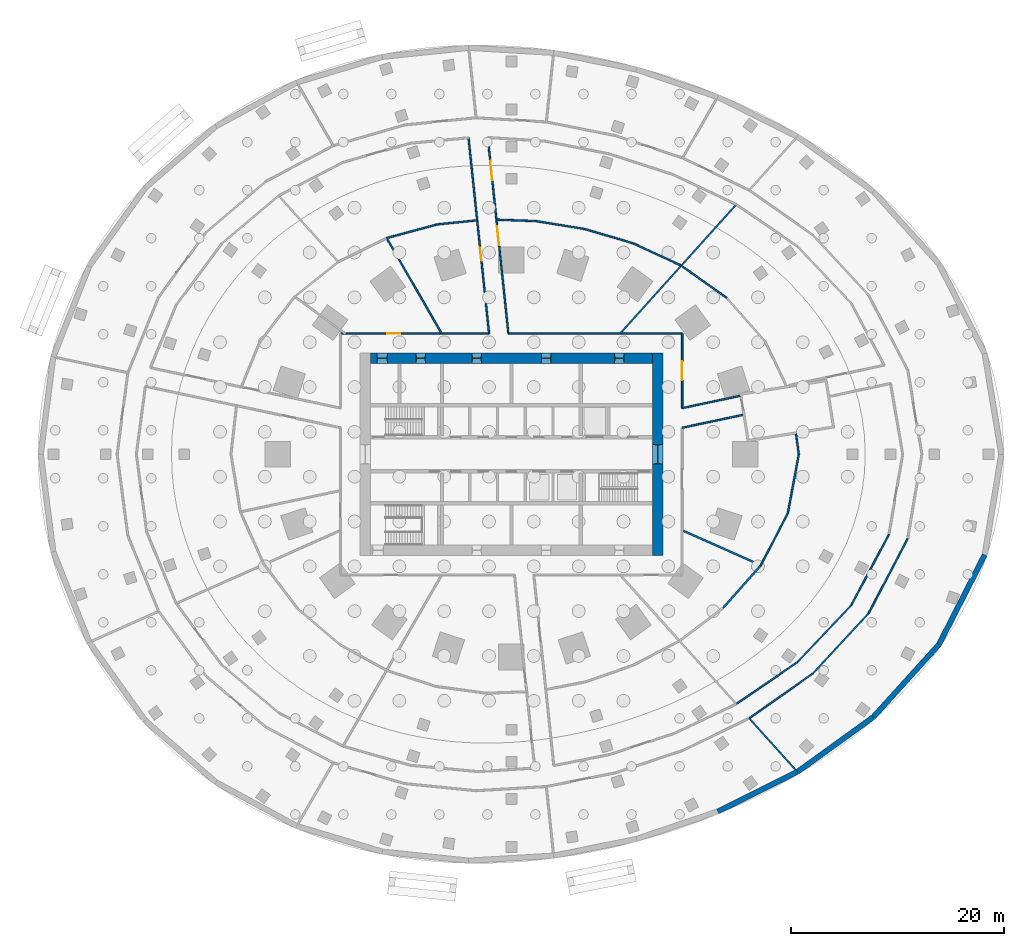
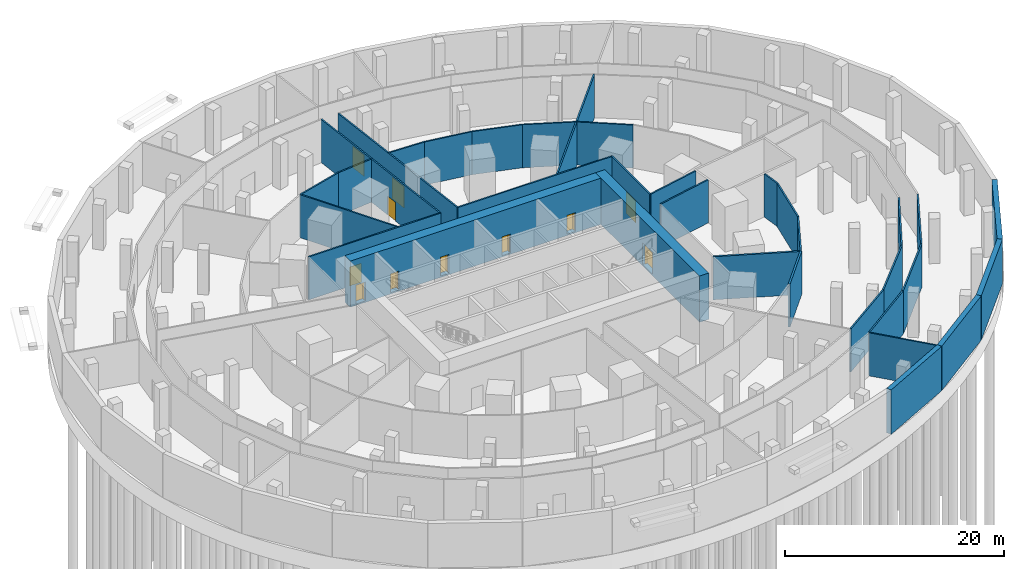
# One storey, part 7 of 11: 34 walls, 11 doors, 11 openings.
"""IFC4 building model written with IfcOpenShell, lengths in metres."""

from ifc_helpers import new_model, si_unit, direction, frame, frame_2d, origin, place, context, subcontext, project, spatial, rectangle, extrude, material, layer, layer_set, type_object, element, fill, save


model = new_model("IFC4")

# Units and contexts
model_context = context("Model", 3, precision=1e-05, world=origin(), true_north=direction((0.0, 1.0)))
body_context = subcontext(model_context, "Body", "Model", "MODEL_VIEW")
ifc_project = project(units=[si_unit("LENGTHUNIT", "METRE"), si_unit("AREAUNIT", "SQUARE_METRE"), si_unit("VOLUMEUNIT", "CUBIC_METRE"), si_unit("PLANEANGLEUNIT", "RADIAN"), si_unit("MASSUNIT", "GRAM", prefix="KILO")], contexts=[model_context])

# Site, building, storey
site_placement = place(None, origin())
site = spatial("IfcSite", under=ifc_project, at=site_placement, CompositionType="ELEMENT")
building_placement = place(site_placement, origin())
building = spatial("IfcBuilding", under=site, at=building_placement, Name="Marramba Exchange Tower", CompositionType="ELEMENT")
storey_placement = place(building_placement, frame((0.0, 0.0, -5.0)))
storey = spatial("IfcBuildingStorey", under=building, at=storey_placement, Name="B1", CompositionType="ELEMENT", Elevation=-5.0)

# Walls
ifc_material_1 = material(Name="Concrete N50", Category="concrete")
ifc_layer_1 = layer(ifc_material_1, 0.5)
ifc_layer_set_1 = layer_set([ifc_layer_1], Name="Basement retaining wall 500")
wall_type_1 = type_object("IfcWallType", Name="Basement retaining wall 500", PredefinedType="SOLIDWALL", material=ifc_layer_set_1)
wall_1_placement = place(storey_placement, frame((19.325927734375, -33.4736328125, -0.14990234375), z_axis=(0.0, 0.0, 1.0), x_axis=(0.895437485693, 0.44518727432, 0.0)))
element("IfcWall", 1, at=wall_1_placement, inside=storey, type_object=wall_type_1, Name="Retaining wall RW1-26", PredefinedType="SOLIDWALL", context=body_context, shape_type="SweptSolid", body=[
    extrude(rectangle(XDim=8.34228515625, YDim=0.5, at=frame_2d((4.171142578125, 0.0))), origin(), (0.0, 0.0, 1.0), 4.949951171875),
])
wall_2_placement = place(storey_placement, frame((26.7958984375, -29.759765625, -0.14990234375), z_axis=(0.0, 0.0, 1.0), x_axis=(0.810809240523, 0.585310494937, 0.0)))
element("IfcWall", 2, at=wall_2_placement, inside=storey, type_object=wall_type_1, Name="Retaining wall RW1-27", PredefinedType="SOLIDWALL", context=body_context, shape_type="SweptSolid", body=[
    extrude(rectangle(XDim=8.76318359375, YDim=0.5, at=frame_2d((4.381591796875, 0.0))), origin(), (0.0, 0.0, 1.0), 4.949951171875),
])
wall_3_placement = place(storey_placement, frame((33.901123046875, -24.630615234375, -0.14990234375), z_axis=(0.0, 0.0, 1.0), x_axis=(0.670913323969, 0.741535779124, 0.0)))
element("IfcWall", 3, at=wall_3_placement, inside=storey, type_object=wall_type_1, Name="Retaining wall RW1-28", PredefinedType="SOLIDWALL", context=body_context, shape_type="SweptSolid", body=[
    extrude(rectangle(XDim=9.16796875, YDim=0.5, at=frame_2d((4.583984375, 0.0))), origin(), (0.0, 0.0, 1.0), 4.949951171875),
])
wall_4_placement = place(storey_placement, frame((40.052001953125, -17.832275390625, -0.14990234375), z_axis=(0.0, 0.0, 1.0), x_axis=(0.454801599968, 0.890592782739, 0.0)))
element("IfcWall", 4, at=wall_4_placement, inside=storey, type_object=wall_type_1, Name="Retaining wall RW1-29", PredefinedType="SOLIDWALL", context=body_context, shape_type="SweptSolid", body=[
    extrude(rectangle(XDim=9.439208984375, YDim=0.5, at=frame_2d((4.7197265625, 0.0))), origin(), (0.0, 0.0, 1.0), 4.949951171875),
])

# Wall, openings, doors
ifc_layer_2 = layer(ifc_material_1, 1.0)
ifc_layer_set_2 = layer_set([ifc_layer_2], Name="Core wall 1000")
wall_type_2 = type_object("IfcWallType", Name="Core wall 1000", PredefinedType="SHEAR", material=ifc_layer_set_2)
wall_5_placement = place(storey_placement, frame((13.199951171875, 9.0, -0.14990234375), z_axis=(0.0, 0.0, 1.0), x_axis=(-1.0, 0.0, 0.0)))
wall_5 = element("IfcWall", 5, at=wall_5_placement, inside=storey, type_object=wall_type_2, Name="Core wall N B1", PredefinedType="SHEAR", context=body_context, shape_type="SweptSolid", body=[
    extrude(rectangle(XDim=26.39990234375, YDim=1.0, at=frame_2d((13.199951171875, 0.0))), origin(), (0.0, 0.0, 1.0), 5.14990234375),
])
opening_1_placement = place(wall_5_placement, frame((2.64990234375, 0.0, 0.14990234375)))
opening_1 = element("IfcOpeningElement", 6, at=opening_1_placement, cuts=wall_5, Name="Opening D5", PredefinedType="OPENING", context=body_context, shape_type="SweptSolid", body=[
    extrude(rectangle(XDim=0.89990234375, YDim=2.10009765625, at=frame_2d((0.449951171875, 1.050048828125))), frame((0.0, 0.510009765625, 0.0), z_axis=(0.0, -1.0, 0.0), x_axis=(1.0, 0.0, 0.0)), (0.0, 0.0, 1.0), 1.02001953125),
])
opening_2_placement = place(wall_5_placement, frame((9.5, 0.0, 0.14990234375)))
opening_2 = element("IfcOpeningElement", 7, at=opening_2_placement, cuts=wall_5, Name="Opening D5", PredefinedType="OPENING", context=body_context, shape_type="SweptSolid", body=[
    extrude(rectangle(XDim=0.89990234375, YDim=2.10009765625, at=frame_2d((0.449951171875, 1.050048828125))), frame((0.0, 0.510009765625, 0.0), z_axis=(0.0, -1.0, 0.0), x_axis=(1.0, 0.0, 0.0)), (0.0, 0.0, 1.0), 1.02001953125),
])
opening_3_placement = place(wall_5_placement, frame((16.0, 0.0, 0.14990234375)))
opening_3 = element("IfcOpeningElement", 8, at=opening_3_placement, cuts=wall_5, Name="Opening D5", PredefinedType="OPENING", context=body_context, shape_type="SweptSolid", body=[
    extrude(rectangle(XDim=0.89990234375, YDim=2.10009765625, at=frame_2d((0.449951171875, 1.050048828125))), frame((0.0, 0.510009765625, 0.0), z_axis=(0.0, -1.0, 0.0), x_axis=(1.0, 0.0, 0.0)), (0.0, 0.0, 1.0), 1.02001953125),
])
opening_4_placement = place(wall_5_placement, frame((21.25, 0.0, 0.14990234375)))
opening_4 = element("IfcOpeningElement", 9, at=opening_4_placement, cuts=wall_5, Name="Opening D5", PredefinedType="OPENING", context=body_context, shape_type="SweptSolid", body=[
    extrude(rectangle(XDim=0.89990234375, YDim=2.10009765625, at=frame_2d((0.449951171875, 1.050048828125))), frame((0.0, 0.510009765625, 0.0), z_axis=(0.0, -1.0, 0.0), x_axis=(1.0, 0.0, 0.0)), (0.0, 0.0, 1.0), 1.02001953125),
])
opening_5_placement = place(wall_5_placement, frame((24.800048828125, 0.0, 0.14990234375)))
opening_5 = element("IfcOpeningElement", 10, at=opening_5_placement, cuts=wall_5, Name="Opening D4", PredefinedType="OPENING", context=body_context, shape_type="SweptSolid", body=[
    extrude(rectangle(XDim=1.0, YDim=2.10009765625, at=frame_2d((0.5, 1.050048828125))), frame((0.0, 0.510009765625, 0.0), z_axis=(0.0, -1.0, 0.0), x_axis=(1.0, 0.0, 0.0)), (0.0, 0.0, 1.0), 1.02001953125),
])
ifc_material_2 = material(Name="Steel-framed door", Category="steel")
door_type_1 = type_object("IfcDoorType", Name="Accessible toilet door 1000x2100", OperationType="SINGLE_SWING_LEFT", PredefinedType="DOOR", material=ifc_material_2)
door_1_placement = place(opening_5_placement, origin())
door_1 = element("IfcDoor", 11, at=door_1_placement, inside=storey, type_object=door_type_1, Name="D4 awc B1", OperationType="SINGLE_SWING_RIGHT", OverallHeight=2.10009765625, OverallWidth=1.0, PredefinedType="DOOR", context=body_context, shape_type="SweptSolid", body=[
    extrude(rectangle(XDim=0.919921875, YDim=2.06005859375, at=frame_2d((0.5, 1.030029296875))), frame((0.0, 0.02490234375, 0.0), z_axis=(0.0, -1.0, 0.0), x_axis=(1.0, 0.0, 0.0)), (0.0, 0.0, 1.0), 0.050048828125),
    extrude(rectangle(XDim=0.04, YDim=2.10009765625, at=frame_2d((0.02001953125, 1.050048828125))), frame((0.0, 0.25, 0.0), z_axis=(0.0, -1.0, 0.0), x_axis=(1.0, 0.0, 0.0)), (0.0, 0.0, 1.0), 0.5),
    extrude(rectangle(XDim=0.04, YDim=2.10009765625, at=frame_2d((0.97998046875, 1.050048828125))), frame((0.0, 0.25, 0.0), z_axis=(0.0, -1.0, 0.0), x_axis=(1.0, 0.0, 0.0)), (0.0, 0.0, 1.0), 0.5),
    extrude(rectangle(XDim=0.919921875, YDim=0.04, at=frame_2d((0.5, 2.080078125))), frame((0.0, 0.25, 0.0), z_axis=(0.0, -1.0, 0.0), x_axis=(1.0, 0.0, 0.0)), (0.0, 0.0, 1.0), 0.5),
])
fill(opening_5, door_1)
door_type_2 = type_object("IfcDoorType", Name="Service door 900x2100", OperationType="SINGLE_SWING_LEFT", PredefinedType="DOOR", material=ifc_material_2)
door_2_placement = place(opening_1_placement, origin())
door_2 = element("IfcDoor", 12, at=door_2_placement, inside=storey, type_object=door_type_2, Name="D5 comms B1", OperationType="SINGLE_SWING_LEFT", OverallHeight=2.10009765625, OverallWidth=0.89990234375, PredefinedType="DOOR", context=body_context, shape_type="SweptSolid", body=[
    extrude(rectangle(XDim=0.81982421875, YDim=2.06005859375, at=frame_2d((0.449951171875, 1.030029296875))), frame((0.0, 0.02490234375, 0.0), z_axis=(0.0, -1.0, 0.0), x_axis=(1.0, 0.0, 0.0)), (0.0, 0.0, 1.0), 0.050048828125),
    extrude(rectangle(XDim=0.04, YDim=2.10009765625, at=frame_2d((0.02001953125, 1.050048828125))), frame((0.0, 0.25, 0.0), z_axis=(0.0, -1.0, 0.0), x_axis=(1.0, 0.0, 0.0)), (0.0, 0.0, 1.0), 0.5),
    extrude(rectangle(XDim=0.04, YDim=2.10009765625, at=frame_2d((0.8798828125, 1.050048828125))), frame((0.0, 0.25, 0.0), z_axis=(0.0, -1.0, 0.0), x_axis=(1.0, 0.0, 0.0)), (0.0, 0.0, 1.0), 0.5),
    extrude(rectangle(XDim=0.81982421875, YDim=0.04, at=frame_2d((0.449951171875, 2.080078125))), frame((0.0, 0.25, 0.0), z_axis=(0.0, -1.0, 0.0), x_axis=(1.0, 0.0, 0.0)), (0.0, 0.0, 1.0), 0.5),
])
fill(opening_1, door_2)
door_3_placement = place(opening_2_placement, origin())
door_3 = element("IfcDoor", 13, at=door_3_placement, inside=storey, type_object=door_type_2, Name="D5 wc-f B1", OperationType="SINGLE_SWING_RIGHT", OverallHeight=2.10009765625, OverallWidth=0.89990234375, PredefinedType="DOOR", context=body_context, shape_type="SweptSolid", body=[
    extrude(rectangle(XDim=0.81982421875, YDim=2.06005859375, at=frame_2d((0.449951171875, 1.030029296875))), frame((0.0, 0.02490234375, 0.0), z_axis=(0.0, -1.0, 0.0), x_axis=(1.0, 0.0, 0.0)), (0.0, 0.0, 1.0), 0.050048828125),
    extrude(rectangle(XDim=0.04, YDim=2.10009765625, at=frame_2d((0.02001953125, 1.050048828125))), frame((0.0, 0.25, 0.0), z_axis=(0.0, -1.0, 0.0), x_axis=(1.0, 0.0, 0.0)), (0.0, 0.0, 1.0), 0.5),
    extrude(rectangle(XDim=0.04, YDim=2.10009765625, at=frame_2d((0.8798828125, 1.050048828125))), frame((0.0, 0.25, 0.0), z_axis=(0.0, -1.0, 0.0), x_axis=(1.0, 0.0, 0.0)), (0.0, 0.0, 1.0), 0.5),
    extrude(rectangle(XDim=0.81982421875, YDim=0.04, at=frame_2d((0.449951171875, 2.080078125))), frame((0.0, 0.25, 0.0), z_axis=(0.0, -1.0, 0.0), x_axis=(1.0, 0.0, 0.0)), (0.0, 0.0, 1.0), 0.5),
])
fill(opening_2, door_3)
door_4_placement = place(opening_3_placement, origin())
door_4 = element("IfcDoor", 14, at=door_4_placement, inside=storey, type_object=door_type_2, Name="D5 wc-m B1", OperationType="SINGLE_SWING_RIGHT", OverallHeight=2.10009765625, OverallWidth=0.89990234375, PredefinedType="DOOR", context=body_context, shape_type="SweptSolid", body=[
    extrude(rectangle(XDim=0.81982421875, YDim=2.06005859375, at=frame_2d((0.449951171875, 1.030029296875))), frame((0.0, 0.02490234375, 0.0), z_axis=(0.0, -1.0, 0.0), x_axis=(1.0, 0.0, 0.0)), (0.0, 0.0, 1.0), 0.050048828125),
    extrude(rectangle(XDim=0.04, YDim=2.10009765625, at=frame_2d((0.02001953125, 1.050048828125))), frame((0.0, 0.25, 0.0), z_axis=(0.0, -1.0, 0.0), x_axis=(1.0, 0.0, 0.0)), (0.0, 0.0, 1.0), 0.5),
    extrude(rectangle(XDim=0.04, YDim=2.10009765625, at=frame_2d((0.8798828125, 1.050048828125))), frame((0.0, 0.25, 0.0), z_axis=(0.0, -1.0, 0.0), x_axis=(1.0, 0.0, 0.0)), (0.0, 0.0, 1.0), 0.5),
    extrude(rectangle(XDim=0.81982421875, YDim=0.04, at=frame_2d((0.449951171875, 2.080078125))), frame((0.0, 0.25, 0.0), z_axis=(0.0, -1.0, 0.0), x_axis=(1.0, 0.0, 0.0)), (0.0, 0.0, 1.0), 0.5),
])
fill(opening_3, door_4)
door_5_placement = place(opening_4_placement, origin())
door_5 = element("IfcDoor", 15, at=door_5_placement, inside=storey, type_object=door_type_2, Name="D5 cleaner B1", OperationType="SINGLE_SWING_RIGHT", OverallHeight=2.10009765625, OverallWidth=0.89990234375, PredefinedType="DOOR", context=body_context, shape_type="SweptSolid", body=[
    extrude(rectangle(XDim=0.81982421875, YDim=2.06005859375, at=frame_2d((0.449951171875, 1.030029296875))), frame((0.0, 0.02490234375, 0.0), z_axis=(0.0, -1.0, 0.0), x_axis=(1.0, 0.0, 0.0)), (0.0, 0.0, 1.0), 0.050048828125),
    extrude(rectangle(XDim=0.04, YDim=2.10009765625, at=frame_2d((0.02001953125, 1.050048828125))), frame((0.0, 0.25, 0.0), z_axis=(0.0, -1.0, 0.0), x_axis=(1.0, 0.0, 0.0)), (0.0, 0.0, 1.0), 0.5),
    extrude(rectangle(XDim=0.04, YDim=2.10009765625, at=frame_2d((0.8798828125, 1.050048828125))), frame((0.0, 0.25, 0.0), z_axis=(0.0, -1.0, 0.0), x_axis=(1.0, 0.0, 0.0)), (0.0, 0.0, 1.0), 0.5),
    extrude(rectangle(XDim=0.81982421875, YDim=0.04, at=frame_2d((0.449951171875, 2.080078125))), frame((0.0, 0.25, 0.0), z_axis=(0.0, -1.0, 0.0), x_axis=(1.0, 0.0, 0.0)), (0.0, 0.0, 1.0), 0.5),
])
fill(opening_4, door_5)

# Wall, opening, door
wall_6_placement = place(storey_placement, frame((13.699951171875, -9.5, -0.14990234375), z_axis=(0.0, 0.0, 1.0), x_axis=(0.0, 1.0, 0.0)))
wall_6 = element("IfcWall", 16, at=wall_6_placement, inside=storey, type_object=wall_type_2, Name="Core wall E B1", PredefinedType="SHEAR", context=body_context, shape_type="SweptSolid", body=[
    extrude(rectangle(XDim=19.0, YDim=1.0, at=frame_2d((9.5, 0.0))), origin(), (0.0, 0.0, 1.0), 5.14990234375),
])
opening_6_placement = place(wall_6_placement, frame((8.60009765625, 0.0, 0.14990234375)))
opening_6 = element("IfcOpeningElement", 17, at=opening_6_placement, cuts=wall_6, Name="Opening D1", PredefinedType="OPENING", context=body_context, shape_type="SweptSolid", body=[
    extrude(rectangle(XDim=1.800048828125, YDim=2.39990234375, at=frame_2d((0.89990234375, 1.199951171875))), frame((0.0, 0.510009765625, 0.0), z_axis=(0.0, -1.0, 0.0), x_axis=(1.0, 0.0, 0.0)), (0.0, 0.0, 1.0), 1.02001953125),
])
door_type_3 = type_object("IfcDoorType", Name="Lobby exit door 1800x2400", OperationType="DOUBLE_DOOR_SINGLE_SWING", PredefinedType="DOOR", material=ifc_material_2)
door_6_placement = place(opening_6_placement, origin())
door_6 = element("IfcDoor", 18, at=door_6_placement, inside=storey, type_object=door_type_3, Name="D1 lobby exit east B1", OperationType="DOUBLE_DOOR_SINGLE_SWING", OverallHeight=2.39990234375, OverallWidth=1.800048828125, PredefinedType="DOOR", context=body_context, shape_type="SweptSolid", body=[
    extrude(rectangle(XDim=1.719970703125, YDim=2.35986328125, at=frame_2d((0.89990234375, 1.179931640625))), frame((0.0, 0.02490234375, 0.0), z_axis=(0.0, -1.0, 0.0), x_axis=(1.0, 0.0, 0.0)), (0.0, 0.0, 1.0), 0.050048828125),
    extrude(rectangle(XDim=0.04, YDim=2.39990234375, at=frame_2d((0.02001953125, 1.199951171875))), frame((0.0, 0.25, 0.0), z_axis=(0.0, -1.0, 0.0), x_axis=(1.0, 0.0, 0.0)), (0.0, 0.0, 1.0), 0.5),
    extrude(rectangle(XDim=0.04, YDim=2.39990234375, at=frame_2d((1.780029296875, 1.199951171875))), frame((0.0, 0.25, 0.0), z_axis=(0.0, -1.0, 0.0), x_axis=(1.0, 0.0, 0.0)), (0.0, 0.0, 1.0), 0.5),
    extrude(rectangle(XDim=1.719970703125, YDim=0.04, at=frame_2d((0.89990234375, 2.3798828125))), frame((0.0, 0.25, 0.0), z_axis=(0.0, -1.0, 0.0), x_axis=(1.0, 0.0, 0.0)), (0.0, 0.0, 1.0), 0.5),
])
fill(opening_6, door_6)

# Walls
ifc_material_3 = material(Name="Core-filled concrete blockwork, rendered", Category="masonry")
ifc_layer_3 = layer(ifc_material_3, 0.18994140625)
ifc_layer_set_3 = layer_set([ifc_layer_3], Name="Equipment room wall 190")
wall_type_3 = type_object("IfcWallType", Name="Equipment room wall 190", PredefinedType="SOLIDWALL", material=ifc_layer_set_3)
wall_7_placement = place(storey_placement, frame((23.369873046875, -10.40478515625, 0.0), z_axis=(0.0, 0.0, 1.0), x_axis=(-0.662683302894, -0.748899753015, 0.0)))
element("IfcWall", 19, at=wall_7_placement, inside=storey, type_object=wall_type_3, Name="Equipment room wall B1 53", PredefinedType="SOLIDWALL", context=body_context, shape_type="SweptSolid", body=[
    extrude(rectangle(XDim=5.343505859375, YDim=0.18994140625, at=frame_2d((2.671875, 0.0))), origin(), (0.0, 0.0, 1.0), 4.800048828125),
])
wall_8_placement = place(storey_placement, frame((16.0, -7.123779296875, 0.0), z_axis=(0.0, 0.0, 1.0), x_axis=(0.913558032758, -0.406708397729, 0.0)))
element("IfcWall", 20, at=wall_8_placement, inside=storey, type_object=wall_type_3, Name="Equipment room wall B1 56", PredefinedType="SOLIDWALL", context=body_context, shape_type="SweptSolid", body=[
    extrude(rectangle(XDim=8.067138671875, YDim=0.18994140625, at=frame_2d((4.03369140625, 0.0))), origin(), (0.0, 0.0, 1.0), 4.800048828125),
])
ifc_material_4 = material(Name="Fire-rated plasterboard on steel studs, acoustic insulation", Category="steel")
ifc_layer_4 = layer(ifc_material_4, 0.14990234375)
ifc_layer_set_4 = layer_set([ifc_layer_4], Name="Tenancy wall 150")
wall_type_4 = type_object("IfcWallType", Name="Tenancy wall 150", PredefinedType="PARTITIONING", material=ifc_layer_set_4)
wall_9_placement = place(storey_placement, frame((26.6201171875, -29.564697265625, 0.0), z_axis=(0.0, 0.0, 1.0), x_axis=(-0.669128788744, 0.743146462061, 0.0)))
element("IfcWall", 21, at=wall_9_placement, inside=storey, type_object=wall_type_4, Name="Tenancy wall B1 46", PredefinedType="PARTITIONING", context=body_context, shape_type="SweptSolid", body=[
    extrude(rectangle(XDim=6.49462890625, YDim=0.14990234375, at=frame_2d((3.247314453125, 0.0))), origin(), (0.0, 0.0, 1.0), 4.800048828125),
])
wall_10_placement = place(storey_placement, frame((22.2744140625, -24.73828125, 0.0), z_axis=(0.0, 0.0, 1.0), x_axis=(0.817737752459, 0.575590973003, 0.0)))
element("IfcWall", 22, at=wall_10_placement, inside=storey, type_object=wall_type_4, Name="Tenancy wall B1 49", PredefinedType="PARTITIONING", context=body_context, shape_type="SweptSolid", body=[
    extrude(rectangle(XDim=7.313720703125, YDim=0.14990234375, at=frame_2d((3.65673828125, 0.0))), origin(), (0.0, 0.0, 1.0), 4.800048828125),
])
wall_11_placement = place(storey_placement, frame((26.798828125, -19.470458984375, 0.0), z_axis=(0.0, 0.0, 1.0), x_axis=(-0.824602390989, -0.565712733439, 0.0)))
element("IfcWall", 23, at=wall_11_placement, inside=storey, type_object=wall_type_4, Name="Tenancy wall B1 50", PredefinedType="PARTITIONING", context=body_context, shape_type="SweptSolid", body=[
    extrude(rectangle(XDim=6.947265625, YDim=0.14990234375, at=frame_2d((3.4736328125, 0.0))), origin(), (0.0, 0.0, 1.0), 4.800048828125),
])
wall_12_placement = place(storey_placement, frame((28.255126953125, -20.528564453125, 0.0), z_axis=(0.0, 0.0, 1.0), x_axis=(0.679653590843, 0.733533227914, 0.0)))
element("IfcWall", 24, at=wall_12_placement, inside=storey, type_object=wall_type_4, Name="Tenancy wall B1 54", PredefinedType="PARTITIONING", context=body_context, shape_type="SweptSolid", body=[
    extrude(rectangle(XDim=7.67138671875, YDim=0.14990234375, at=frame_2d((3.835693359375, 0.0))), origin(), (0.0, 0.0, 1.0), 4.800048828125),
])
wall_13_placement = place(storey_placement, frame((31.82470703125, -14.169189453125, 0.0), z_axis=(0.0, 0.0, 1.0), x_axis=(-0.688006019466, -0.725704979436, 0.0)))
element("IfcWall", 25, at=wall_13_placement, inside=storey, type_object=wall_type_4, Name="Tenancy wall B1 55", PredefinedType="PARTITIONING", context=body_context, shape_type="SweptSolid", body=[
    extrude(rectangle(XDim=7.304931640625, YDim=0.14990234375, at=frame_2d((3.65234375, 0.0))), origin(), (0.0, 0.0, 1.0), 4.800048828125),
])
wall_14_placement = place(storey_placement, frame((25.902587890625, -5.505615234375, 0.0), z_axis=(0.0, 0.0, 1.0), x_axis=(-0.459231428261, -0.888316663863, 0.0)))
element("IfcWall", 26, at=wall_14_placement, inside=storey, type_object=wall_type_4, Name="Tenancy wall B1 57", PredefinedType="PARTITIONING", context=body_context, shape_type="SweptSolid", body=[
    extrude(rectangle(XDim=5.51513671875, YDim=0.14990234375, at=frame_2d((2.757568359375, 0.0))), origin(), (0.0, 0.0, 1.0), 4.800048828125),
])
wall_15_placement = place(storey_placement, frame((33.468994140625, -14.9013671875, 0.0), z_axis=(0.0, 0.0, 1.0), x_axis=(0.462902565911, 0.886409168766, 0.0)))
element("IfcWall", 27, at=wall_15_placement, inside=storey, type_object=wall_type_4, Name="Tenancy wall B1 58", PredefinedType="PARTITIONING", context=body_context, shape_type="SweptSolid", body=[
    extrude(rectangle(XDim=7.907470703125, YDim=0.14990234375, at=frame_2d((3.95361328125, 0.0))), origin(), (0.0, 0.0, 1.0), 4.800048828125),
])
wall_16_placement = place(storey_placement, frame((35.36865234375, -7.517822265625, 0.0), z_axis=(0.0, 0.0, 1.0), x_axis=(-0.470231750467, -0.882542973941, 0.0)))
element("IfcWall", 28, at=wall_16_placement, inside=storey, type_object=wall_type_4, Name="Tenancy wall B1 59", PredefinedType="PARTITIONING", context=body_context, shape_type="SweptSolid", body=[
    extrude(rectangle(XDim=7.53662109375, YDim=0.14990234375, at=frame_2d((3.768310546875, 0.0))), origin(), (0.0, 0.0, 1.0), 4.800048828125),
])
wall_17_placement = place(storey_placement, frame((26.925048828125, 0.0, 0.0), z_axis=(0.0, 0.0, 1.0), x_axis=(-0.182590387632, -0.983189071514, 0.0)))
element("IfcWall", 29, at=wall_17_placement, inside=storey, type_object=wall_type_4, Name="Tenancy wall B1 63", PredefinedType="PARTITIONING", context=body_context, shape_type="SweptSolid", body=[
    extrude(rectangle(XDim=5.599853515625, YDim=0.14990234375, at=frame_2d((2.7998046875, 0.0))), origin(), (0.0, 0.0, 1.0), 4.800048828125),
])
wall_18_placement = place(storey_placement, frame((26.66650390625, 1.89501953125, 0.0), z_axis=(0.0, 0.0, 1.0), x_axis=(0.135181560705, -0.990820844374, 0.0)))
element("IfcWall", 30, at=wall_18_placement, inside=storey, type_object=wall_type_4, Name="Tenancy wall B1 64", PredefinedType="PARTITIONING", context=body_context, shape_type="SweptSolid", body=[
    extrude(rectangle(XDim=1.91259765625, YDim=0.14990234375, at=frame_2d((0.956298828125, 0.0))), origin(), (0.0, 0.0, 1.0), 4.800048828125),
])
wall_19_placement = place(storey_placement, frame((16.0, 2.480712890625, 0.0), z_axis=(0.0, 0.0, 1.0), x_axis=(0.978144448143, 0.207926522038, 0.0)))
element("IfcWall", 31, at=wall_19_placement, inside=storey, type_object=wall_type_4, Name="Tenancy wall B1 67", PredefinedType="PARTITIONING", context=body_context, shape_type="SweptSolid", body=[
    extrude(rectangle(XDim=5.81689453125, YDim=0.14990234375, at=frame_2d((2.908447265625, 0.0))), origin(), (0.0, 0.0, 1.0), 4.800048828125),
])
wall_20_placement = place(storey_placement, frame((21.40771484375, 5.470458984375, 0.0), z_axis=(0.0, 0.0, 1.0), x_axis=(-0.978148748832, -0.207906289368, 0.0)))
element("IfcWall", 32, at=wall_20_placement, inside=storey, type_object=wall_type_4, Name="Tenancy wall B1 70", PredefinedType="PARTITIONING", context=body_context, shape_type="SweptSolid", body=[
    extrude(rectangle(XDim=5.528564453125, YDim=0.14990234375, at=frame_2d((2.76416015625, 0.0))), origin(), (0.0, 0.0, 1.0), 4.800048828125),
])

# Wall, opening, door
wall_21_placement = place(storey_placement, frame((16.0, 4.321044921875, 0.0), z_axis=(0.0, 0.0, 1.0), x_axis=(0.0, 1.0, 0.0)))
wall_21 = element("IfcWall", 33, at=wall_21_placement, inside=storey, type_object=wall_type_4, Name="Tenancy wall B1 74", PredefinedType="PARTITIONING", context=body_context, shape_type="SweptSolid", body=[
    extrude(rectangle(XDim=6.97900390625, YDim=0.14990234375, at=frame_2d((3.489501953125, 0.0))), origin(), (0.0, 0.0, 1.0), 4.800048828125),
])
opening_7_placement = place(wall_21_placement, frame((2.614990234375, 0.0, 0.0)))
opening_7 = element("IfcOpeningElement", 34, at=opening_7_placement, cuts=wall_21, Name="Opening D18", PredefinedType="OPENING", context=body_context, shape_type="SweptSolid", body=[
    extrude(rectangle(XDim=1.800048828125, YDim=2.39990234375, at=frame_2d((0.89990234375, 1.199951171875))), frame((0.0, 0.0849609375, 0.0), z_axis=(0.0, -1.0, 0.0), x_axis=(1.0, 0.0, 0.0)), (0.0, 0.0, 1.0), 0.169921875),
])
door_type_4 = type_object("IfcDoorType", Name="Door pair 1800x2400", OperationType="DOUBLE_DOOR_SINGLE_SWING", PredefinedType="DOOR", material=ifc_material_2)
door_7_placement = place(opening_7_placement, origin())
door_7 = element("IfcDoor", 35, at=door_7_placement, inside=storey, type_object=door_type_4, Name="D18 Main Switch Room B1", OperationType="DOUBLE_DOOR_SINGLE_SWING", OverallHeight=2.39990234375, OverallWidth=1.800048828125, PredefinedType="DOOR", context=body_context, shape_type="SweptSolid", body=[
    extrude(rectangle(XDim=1.800048828125, YDim=2.39990234375, at=frame_2d((0.89990234375, 1.199951171875))), frame((0.0, 0.02490234375, 0.0), z_axis=(0.0, -1.0, 0.0), x_axis=(1.0, 0.0, 0.0)), (0.0, 0.0, 1.0), 0.050048828125),
])
fill(opening_7, door_7)

# Walls
wall_22_placement = place(storey_placement, frame((15.912841796875, 17.673095703125, 0.0), z_axis=(0.0, 0.0, 1.0), x_axis=(0.81494599189, -0.579536910215, 0.0)))
element("IfcWall", 36, at=wall_22_placement, inside=storey, type_object=wall_type_4, Name="Tenancy wall B1 80", PredefinedType="PARTITIONING", context=body_context, shape_type="SweptSolid", body=[
    extrude(rectangle(XDim=5.216552734375, YDim=0.14990234375, at=frame_2d((2.6083984375, 0.0))), origin(), (0.0, 0.0, 1.0), 4.800048828125),
])
wall_23_placement = place(storey_placement, frame((10.174560546875, 11.300048828125, 0.0), z_axis=(0.0, 0.0, 1.0), x_axis=(0.669133702803, 0.743142037415, 0.0)))
element("IfcWall", 37, at=wall_23_placement, inside=storey, type_object=wall_type_4, Name="Tenancy wall B1 81", PredefinedType="PARTITIONING", context=body_context, shape_type="SweptSolid", body=[
    extrude(rectangle(XDim=16.282958984375, YDim=0.14990234375, at=frame_2d((8.1416015625, 0.0))), origin(), (0.0, 0.0, 1.0), 4.800048828125),
])
wall_24_placement = place(storey_placement, frame((11.409912109375, 19.762451171875, 0.0), z_axis=(0.0, 0.0, 1.0), x_axis=(0.907108234971, -0.420897434119, 0.0)))
element("IfcWall", 38, at=wall_24_placement, inside=storey, type_object=wall_type_4, Name="Tenancy wall B1 83", PredefinedType="PARTITIONING", context=body_context, shape_type="SweptSolid", body=[
    extrude(rectangle(XDim=4.964111328125, YDim=0.14990234375, at=frame_2d((2.48193359375, 0.0))), origin(), (0.0, 0.0, 1.0), 4.800048828125),
])
wall_25_placement = place(storey_placement, frame((16.0, 11.300048828125, 0.0), z_axis=(0.0, 0.0, 1.0), x_axis=(-1.0, 0.0, 0.0)))
element("IfcWall", 39, at=wall_25_placement, inside=storey, type_object=wall_type_4, Name="Tenancy wall B1 86", PredefinedType="PARTITIONING", context=body_context, shape_type="SweptSolid", body=[
    extrude(rectangle(XDim=16.28271484375, YDim=0.14990234375, at=frame_2d((8.141357421875, 0.0))), origin(), (0.0, 0.0, 1.0), 4.800048828125),
])
wall_26_placement = place(storey_placement, frame((6.85791015625, 21.106201171875, 0.0), z_axis=(0.0, 0.0, 1.0), x_axis=(0.959084076189, -0.283121413534, 0.0)))
element("IfcWall", 40, at=wall_26_placement, inside=storey, type_object=wall_type_4, Name="Tenancy wall B1 88", PredefinedType="PARTITIONING", context=body_context, shape_type="SweptSolid", body=[
    extrude(rectangle(XDim=4.74609375, YDim=0.14990234375, at=frame_2d((2.373046875, 0.0))), origin(), (0.0, 0.0, 1.0), 4.800048828125),
])
wall_27_placement = place(storey_placement, frame((2.2958984375, 21.8447265625, 0.0), z_axis=(0.0, 0.0, 1.0), x_axis=(0.98714853178, -0.159805432336, 0.0)))
element("IfcWall", 41, at=wall_27_placement, inside=storey, type_object=wall_type_4, Name="Tenancy wall B1 91", PredefinedType="PARTITIONING", context=body_context, shape_type="SweptSolid", body=[
    extrude(rectangle(XDim=4.621337890625, YDim=0.14990234375, at=frame_2d((2.310546875, 0.0))), origin(), (0.0, 0.0, 1.0), 4.800048828125),
])
wall_28_placement = place(storey_placement, frame((-1.405029296875, 21.978271484375, 0.0), z_axis=(0.0, 0.0, 1.0), x_axis=(0.999349601257, -0.036060705316, 0.0)))
element("IfcWall", 42, at=wall_28_placement, inside=storey, type_object=wall_type_4, Name="Tenancy wall B1 95", PredefinedType="PARTITIONING", context=body_context, shape_type="SweptSolid", body=[
    extrude(rectangle(XDim=3.703369140625, YDim=0.14990234375, at=frame_2d((1.8515625, 0.0))), origin(), (0.0, 0.0, 1.0), 4.800048828125),
])

# Wall, openings, doors
wall_29_placement = place(storey_placement, frame((-0.28271484375, 11.300048828125, 0.0), z_axis=(0.0, 0.0, 1.0), x_axis=(-0.104530731572, 0.994521656957, 0.0)))
wall_29 = element("IfcWall", 43, at=wall_29_placement, inside=storey, type_object=wall_type_4, Name="Tenancy wall B1 98", PredefinedType="PARTITIONING", context=body_context, shape_type="SweptSolid", body=[
    extrude(rectangle(XDim=18.479248046875, YDim=0.14990234375, at=frame_2d((9.23974609375, 0.0))), origin(), (0.0, 0.0, 1.0), 4.800048828125),
])
opening_8_placement = place(wall_29_placement, frame((8.31494140625, 0.0, 0.0)))
opening_8 = element("IfcOpeningElement", 44, at=opening_8_placement, cuts=wall_29, Name="Opening D18", PredefinedType="OPENING", context=body_context, shape_type="SweptSolid", body=[
    extrude(rectangle(XDim=1.800048828125, YDim=2.39990234375, at=frame_2d((0.89990234375, 1.199951171875))), frame((0.0, 0.0849609375, 0.0), z_axis=(0.0, -1.0, 0.0), x_axis=(1.0, 0.0, 0.0)), (0.0, 0.0, 1.0), 0.169921875),
])
opening_9_placement = place(wall_29_placement, frame((14.464111328125, 0.0, 0.0)))
opening_9 = element("IfcOpeningElement", 45, at=opening_9_placement, cuts=wall_29, Name="Opening D18", PredefinedType="OPENING", context=body_context, shape_type="SweptSolid", body=[
    extrude(rectangle(XDim=1.800048828125, YDim=2.39990234375, at=frame_2d((0.89990234375, 1.199951171875))), frame((0.0, 0.0849609375, 0.0), z_axis=(0.0, -1.0, 0.0), x_axis=(1.0, 0.0, 0.0)), (0.0, 0.0, 1.0), 0.169921875),
])
door_8_placement = place(opening_8_placement, origin())
door_8 = element("IfcDoor", 46, at=door_8_placement, inside=storey, type_object=door_type_4, Name="D18 HV Substation B1", OperationType="DOUBLE_DOOR_SINGLE_SWING", OverallHeight=2.39990234375, OverallWidth=1.800048828125, PredefinedType="DOOR", context=body_context, shape_type="SweptSolid", body=[
    extrude(rectangle(XDim=1.800048828125, YDim=2.39990234375, at=frame_2d((0.89990234375, 1.199951171875))), frame((0.0, 0.02490234375, 0.0), z_axis=(0.0, -1.0, 0.0), x_axis=(1.0, 0.0, 0.0)), (0.0, 0.0, 1.0), 0.050048828125),
])
fill(opening_8, door_8)
door_9_placement = place(opening_9_placement, origin())
door_9 = element("IfcDoor", 47, at=door_9_placement, inside=storey, type_object=door_type_4, Name="D18 Fire Water Tank Room 2 B1", OperationType="DOUBLE_DOOR_SINGLE_SWING", OverallHeight=2.39990234375, OverallWidth=1.800048828125, PredefinedType="DOOR", context=body_context, shape_type="SweptSolid", body=[
    extrude(rectangle(XDim=1.800048828125, YDim=2.39990234375, at=frame_2d((0.89990234375, 1.199951171875))), frame((0.0, 0.02490234375, 0.0), z_axis=(0.0, -1.0, 0.0), x_axis=(1.0, 0.0, 0.0)), (0.0, 0.0, 1.0), 0.050048828125),
])
fill(opening_9, door_9)

# Wall, opening, door
wall_30_placement = place(storey_placement, frame((-4.021484375, 29.651123046875, 0.0), z_axis=(0.0, 0.0, 1.0), x_axis=(0.104538082469, -0.994520884302, 0.0)))
wall_30 = element("IfcWall", 48, at=wall_30_placement, inside=storey, type_object=wall_type_4, Name="Tenancy wall B1 100", PredefinedType="PARTITIONING", context=body_context, shape_type="SweptSolid", body=[
    extrude(rectangle(XDim=18.4521484375, YDim=0.14990234375, at=frame_2d((9.22607421875, 0.0))), origin(), (0.0, 0.0, 1.0), 4.800048828125),
])
opening_10_placement = place(wall_30_placement, frame((10.35107421875, 0.0, 0.0)))
opening_10 = element("IfcOpeningElement", 49, at=opening_10_placement, cuts=wall_30, Name="Opening D16", PredefinedType="OPENING", context=body_context, shape_type="SweptSolid", body=[
    extrude(rectangle(XDim=1.199951171875, YDim=2.10009765625, at=frame_2d((0.60009765625, 1.050048828125))), frame((0.0, 0.0849609375, 0.0), z_axis=(0.0, -1.0, 0.0), x_axis=(1.0, 0.0, 0.0)), (0.0, 0.0, 1.0), 0.169921875),
])
door_type_5 = type_object("IfcDoorType", Name="Equipment room door 1200x2100", OperationType="SINGLE_SWING_LEFT", PredefinedType="DOOR", material=ifc_material_2)
door_10_placement = place(opening_10_placement, origin())
door_10 = element("IfcDoor", 50, at=door_10_placement, inside=storey, type_object=door_type_5, Name="D16 Fire Pump Room B1", OperationType="SINGLE_SWING_RIGHT", OverallHeight=2.10009765625, OverallWidth=1.199951171875, PredefinedType="DOOR", context=body_context, shape_type="SweptSolid", body=[
    extrude(rectangle(XDim=1.199951171875, YDim=2.10009765625, at=frame_2d((0.60009765625, 1.050048828125))), frame((0.0, 0.02490234375, 0.0), z_axis=(0.0, -1.0, 0.0), x_axis=(1.0, 0.0, 0.0)), (0.0, 0.0, 1.0), 0.050048828125),
])
fill(opening_10, door_10)

# Walls
wall_31_placement = place(storey_placement, frame((-6.994873046875, 21.528076171875, 0.0), z_axis=(0.0, 0.0, 1.0), x_axis=(0.99471982853, 0.102627787313, 0.0)))
element("IfcWall", 51, at=wall_31_placement, inside=storey, type_object=wall_type_4, Name="Tenancy wall B1 103", PredefinedType="PARTITIONING", context=body_context, shape_type="SweptSolid", body=[
    extrude(rectangle(XDim=3.80615234375, YDim=0.14990234375, at=frame_2d((1.903076171875, 0.0))), origin(), (0.0, 0.0, 1.0), 4.800048828125),
])
wall_32_placement = place(storey_placement, frame((-11.69091796875, 20.24951171875, 0.0), z_axis=(0.0, 0.0, 1.0), x_axis=(0.964877176163, 0.26270141781, 0.0)))
element("IfcWall", 52, at=wall_32_placement, inside=storey, type_object=wall_type_4, Name="Tenancy wall B1 106", PredefinedType="PARTITIONING", context=body_context, shape_type="SweptSolid", body=[
    extrude(rectangle(XDim=4.866943359375, YDim=0.14990234375, at=frame_2d((2.43359375, 0.0))), origin(), (0.0, 0.0, 1.0), 4.800048828125),
])
wall_33_placement = place(storey_placement, frame((-6.524169921875, 11.300048828125, 0.0), z_axis=(0.0, 0.0, 1.0), x_axis=(-0.499983542169, 0.866034905509, 0.0)))
element("IfcWall", 53, at=wall_33_placement, inside=storey, type_object=wall_type_4, Name="Tenancy wall B1 108", PredefinedType="PARTITIONING", context=body_context, shape_type="SweptSolid", body=[
    extrude(rectangle(XDim=10.333740234375, YDim=0.14990234375, at=frame_2d((5.1669921875, 0.0))), origin(), (0.0, 0.0, 1.0), 4.800048828125),
])

# Wall, opening, door
wall_34_placement = place(storey_placement, frame((-2.092529296875, 11.300048828125, 0.0), z_axis=(0.0, 0.0, 1.0), x_axis=(-1.0, 0.0, 0.0)))
wall_34 = element("IfcWall", 54, at=wall_34_placement, inside=storey, type_object=wall_type_4, Name="Tenancy wall B1 112", PredefinedType="PARTITIONING", context=body_context, shape_type="SweptSolid", body=[
    extrude(rectangle(XDim=13.907470703125, YDim=0.14990234375, at=frame_2d((6.95361328125, 0.0))), origin(), (0.0, 0.0, 1.0), 4.800048828125),
])
opening_11_placement = place(wall_34_placement, frame((8.345947265625, 0.0, 0.0)))
opening_11 = element("IfcOpeningElement", 55, at=opening_11_placement, cuts=wall_34, Name="Opening D16", PredefinedType="OPENING", context=body_context, shape_type="SweptSolid", body=[
    extrude(rectangle(XDim=1.199951171875, YDim=2.10009765625, at=frame_2d((0.60009765625, 1.050048828125))), frame((0.0, 0.0849609375, 0.0), z_axis=(0.0, -1.0, 0.0), x_axis=(1.0, 0.0, 0.0)), (0.0, 0.0, 1.0), 0.169921875),
])
door_11_placement = place(opening_11_placement, origin())
door_11 = element("IfcDoor", 56, at=door_11_placement, inside=storey, type_object=door_type_5, Name="D16 Domestic Pump Room B1", OperationType="SINGLE_SWING_RIGHT", OverallHeight=2.10009765625, OverallWidth=1.199951171875, PredefinedType="DOOR", context=body_context, shape_type="SweptSolid", body=[
    extrude(rectangle(XDim=1.199951171875, YDim=2.10009765625, at=frame_2d((0.60009765625, 1.050048828125))), frame((0.0, 0.02490234375, 0.0), z_axis=(0.0, -1.0, 0.0), x_axis=(1.0, 0.0, 0.0)), (0.0, 0.0, 1.0), 0.050048828125),
])
fill(opening_11, door_11)

save(model, "model.ifc")
